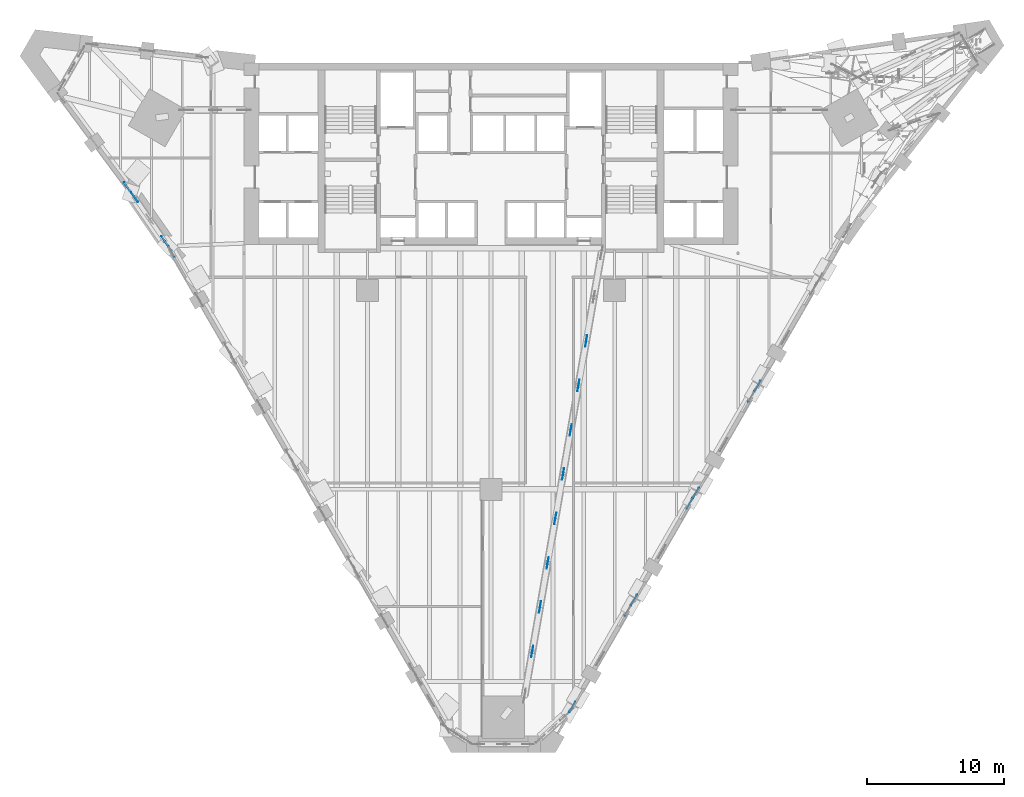
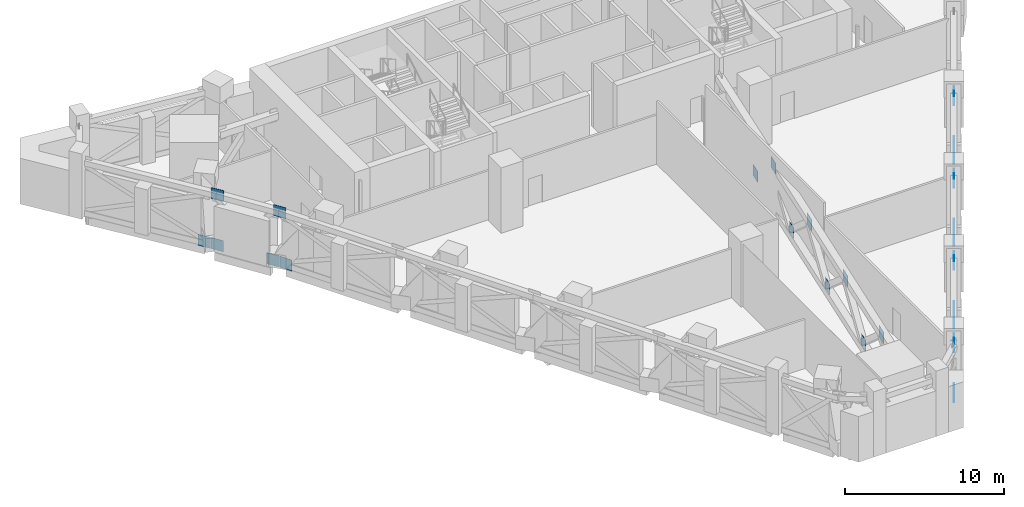
# One storey, part 14 of 22: 25 discrete accessories.
"""IFC4 building model written with IfcOpenShell, lengths in metres."""

from ifc_helpers import new_model, si_unit, direction, frame, origin, origin_2d, place, context, subcontext, project, spatial, rectangle, extrude, material, type_object, element, save


model = new_model("IFC4")

# Units and contexts
model_context = context("Model", 3, precision=1e-05, world=origin(), true_north=direction((0.0, 1.0)))
body_context = subcontext(model_context, "Body", "Model", "MODEL_VIEW")
ifc_project = project(units=[si_unit("LENGTHUNIT", "METRE"), si_unit("AREAUNIT", "SQUARE_METRE"), si_unit("VOLUMEUNIT", "CUBIC_METRE"), si_unit("PLANEANGLEUNIT", "RADIAN"), si_unit("MASSUNIT", "GRAM", prefix="KILO")], contexts=[model_context])

# Site, building, storey
site_placement = place(None, origin())
site = spatial("IfcSite", under=ifc_project, at=site_placement, CompositionType="ELEMENT")
building_placement = place(site_placement, origin())
building = spatial("IfcBuilding", under=site, at=building_placement, Name="Calabash Gate Tower", CompositionType="ELEMENT")
storey_placement = place(building_placement, frame((0.0, 0.0, 86.800048828125)))
storey = spatial("IfcBuildingStorey", under=building, at=storey_placement, Name="L18", CompositionType="ELEMENT", Elevation=86.800048828125)

# Discrete accessories
ifc_material = material(Name="Steel ASTM A572 Gr50", Category="steel")
discrete_accessory_type = type_object("IfcDiscreteAccessoryType", Name="Connection plate 25", PredefinedType="BRACKET", material=ifc_material)
for number, where, z_axis, x_axis, name in (
    (1, (5.92236328125, -27.84716796875, -0.22216796875), (0.0, 0.0, 1.0), (0.49999993954, 0.866025438691, 0.0), "Connection plate Belt chord L18 36 start"),
    (2, (9.972412109375, -20.832275390625, -0.22216796875), (0.0, 0.0, 1.0), (0.49999993954, 0.866025438691, 0.0), "Connection plate Belt chord L18 36 end"),
    (3, (5.92236328125, -27.84716796875, 3.6015625), (0.0, 0.0, 1.0), (0.500191101817, 0.865915042983, 0.0), "Connection plate Belt chord L18 37 start"),
    (4, (10.427001953125, -20.049072265625, 3.6015625), (0.0, 0.0, 1.0), (0.500191101817, 0.865915042983, 0.0), "Connection plate Belt chord L18 37 end"),
    (5, (10.42236328125, -20.052734375, -0.22216796875), (0.0, 0.0, 1.0), (0.49999993954, 0.866025438691, 0.0), "Connection plate Belt chord L18 41 start"),
    (6, (14.472412109375, -13.0380859375, -0.22216796875), (0.0, 0.0, 1.0), (0.49999993954, 0.866025438691, 0.0), "Connection plate Belt chord L18 41 end"),
    (7, (14.927001953125, -12.25390625, 3.6015625), (0.0, 0.0, 1.0), (0.500154013888, 0.865936465563, 0.0), "Connection plate Belt chord L18 42 end"),
    (8, (14.92236328125, -12.258544921875, -0.22216796875), (0.0, 0.0, 1.0), (0.499999984885, 0.866025412511, 0.0), "Connection plate Belt chord L18 46 start"),
    (9, (18.972412109375, -5.243896484375, -0.22216796875), (0.0, 0.0, 1.0), (0.499999984885, 0.866025412511, 0.0), "Connection plate Belt chord L18 46 end"),
    (10, (19.427001953125, -4.4599609375, 3.6015625), (0.0, 0.0, 1.0), (0.500165031547, 0.865930101808, 0.0), "Connection plate Belt chord L18 47 end"),
    (11, (19.42236328125, -4.46435546875, -0.22216796875), (0.0, 0.0, 1.0), (0.49999993954, 0.866025438691, 0.0), "Connection plate Belt chord L18 51 start"),
    (12, (-26.495361328125, 10.012939453125, -0.22216796875), (0.0, 0.0, 1.0), (0.595286910489, -0.80351321968, 0.0), "Connection plate Belt chord L18 101 end"),
    (13, (-25.95703125, 9.285888671875, 3.6015625), (0.0, 0.0, 1.0), (0.595276210162, -0.803521146962, 0.0), "Connection plate Belt chord L18 102 end"),
    (14, (-25.9716796875, 9.281005859375, -0.22216796875), (0.0, 0.0, 1.0), (0.5681695745, -0.822911498652, 0.0), "Connection plate Belt chord L18 106 start"),
    (15, (-23.765625, 6.085693359375, -0.22216796875), (0.0, 0.0, 1.0), (0.5681695745, -0.822911498652, 0.0), "Connection plate Belt chord L18 106 end"),
    (16, (-23.506103515625, 5.7099609375, 3.6015625), (0.0, 0.0, 1.0), (0.568211067084, -0.82288284904, 0.0), "Connection plate Belt chord L18 107 end"),
    (17, (-23.2841796875, 5.324462890625, -0.22216796875), (0.0, 0.0, 1.0), (0.49999993954, -0.866025438691, 0.0), "Connection plate Belt chord L18 111 start"),
    (18, (3.00537109375, -23.815673828125, 2.8466796875), (0.0, 0.0, 1.0), (0.170984725452, 0.985273679574, 0.0), "Connection plate Outrigger diagonal L18 S end"),
    (19, (3.56591796875, -20.5859375, 0.0830078125), (0.0, 0.0, 1.0), (0.1709849662, 0.985273637795, 0.0), "Connection plate Outrigger diagonal L18 S end"),
    (20, (4.12646484375, -17.356201171875, 2.8466796875), (0.0, 0.0, 1.0), (0.170984725452, 0.985273679574, 0.0), "Connection plate Outrigger diagonal L18 S end"),
    (21, (4.68701171875, -14.126220703125, 0.0830078125), (0.0, 0.0, 1.0), (0.170984673864, 0.985273688527, 0.0), "Connection plate Outrigger diagonal L18 S end"),
    (22, (5.24755859375, -10.896484375, 2.8466796875), (0.0, 0.0, 1.0), (0.170984725452, 0.985273679574, 0.0), "Connection plate Outrigger diagonal L18 S end"),
    (23, (5.80810546875, -7.666748046875, 0.0830078125), (0.0, 0.0, 1.0), (0.170985017789, 0.985273628842, 0.0), "Connection plate Outrigger diagonal L18 S end"),
    (24, (6.368408203125, -4.436767578125, 2.8466796875), (0.0, 0.0, 1.0), (0.170984673864, 0.985273688527, 0.0), "Connection plate Outrigger diagonal L18 S end"),
    (25, (6.928955078125, -1.20703125, 0.0830078125), (0.0, 0.0, 1.0), (0.170984725452, 0.985273679574, 0.0), "Connection plate Outrigger diagonal L18 S end"),
):
    element("IfcDiscreteAccessory", number, at=place(storey_placement, frame(where, z_axis=z_axis, x_axis=x_axis)), inside=storey, type_object=discrete_accessory_type, Name=name, PredefinedType="BRACKET", context=body_context, shape_type="SweptSolid", body=[
        extrude(rectangle(XDim=0.850341796875, YDim=0.02490234375, at=origin_2d()), origin(), (0.0, 0.0, 1.0), 0.850341796875),
    ])

save(model, "model.ifc")
